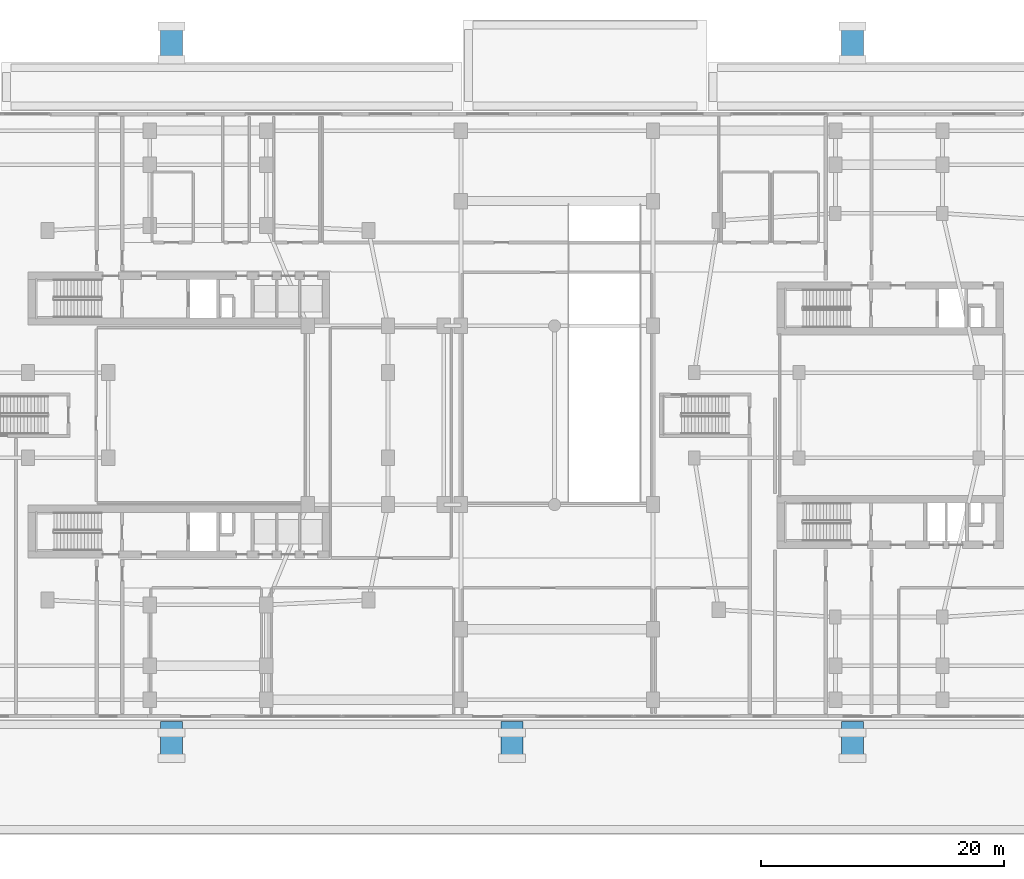
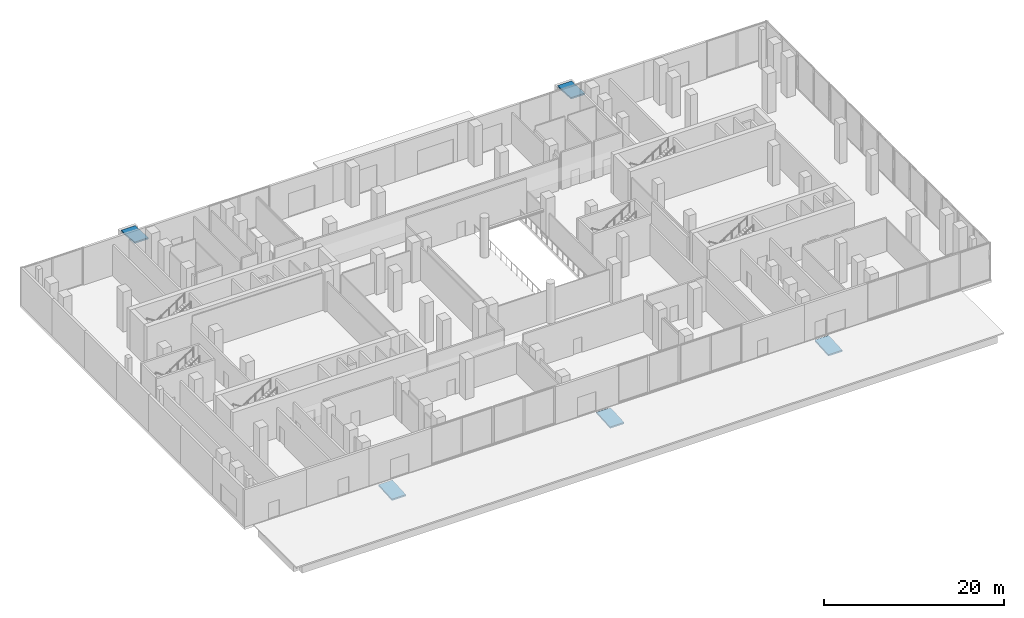
# One storey, part 18 of 24: 5 ramp flights, 5 elements without a shape of their own.
"""IFC4 building model written with IfcOpenShell, lengths in metres."""

from ifc_helpers import new_model, si_unit, derived_unit, direction, frame, origin, place, context, subcontext, project, spatial, polyline, outline, extrude, material, layer, layer_set, type_object, element, aggregate, save


model = new_model("IFC4")

# Units and contexts
model_context = context("Model", 3, precision=1e-05, world=origin(), true_north=direction((0.0, 1.0)))
body_context = subcontext(model_context, "Body", "Model", "MODEL_VIEW")
ifc_project = project(units=[si_unit("LENGTHUNIT", "METRE"), si_unit("AREAUNIT", "SQUARE_METRE"), si_unit("VOLUMEUNIT", "CUBIC_METRE"), si_unit("PLANEANGLEUNIT", "RADIAN"), si_unit("MASSUNIT", "GRAM", prefix="KILO"), derived_unit("THERMALTRANSMITTANCEUNIT", [(si_unit("POWERUNIT", "WATT"), 1), (si_unit("LENGTHUNIT", "METRE"), -2), (si_unit("THERMODYNAMICTEMPERATUREUNIT", "KELVIN"), -1)])], contexts=[model_context])

# Site, building, storey
site_placement = place(None, origin())
site = spatial("IfcSite", under=ifc_project, at=site_placement, CompositionType="ELEMENT")
building_placement = place(site_placement, origin())
building = spatial("IfcBuilding", under=site, at=building_placement, Name="Kivonza Crest Hotel", CompositionType="ELEMENT")
storey_placement = place(building_placement, origin())
storey = spatial("IfcBuildingStorey", under=building, at=storey_placement, Name="L00", CompositionType="ELEMENT", Elevation=0.0)

# Ramp, ramp flight
ifc_material = material(Name="Concrete C40/50", Category="concrete")
ramp_type = type_object("IfcRampType", Name="RM-PED-1800", PredefinedType="STRAIGHT_RUN_RAMP", material=ifc_material)
ramp_1_placement = place(storey_placement, origin())
ramp_1 = element("IfcRamp", 1, at=ramp_1_placement, inside=storey, type_object=ramp_type, Name="Hotel South forecourt accessible arrival ramp", PredefinedType="STRAIGHT_RUN_RAMP")
ifc_layer = layer(ifc_material, 0.199951171875)
ifc_layer_set = layer_set([ifc_layer], Name="Concrete C40/50")
ramp_flight_type = type_object("IfcRampFlightType", Name="RMF-PED-200", PredefinedType="STRAIGHT", material=ifc_layer_set)
ramp_flight_1_placement = place(storey_placement, frame((18.0, -3.199951171875, -0.179931640625), z_axis=(0.0, 0.0, 1.0), x_axis=(0.0, 1.0, 0.0)))
ramp_flight_1 = element("IfcRampFlight", 2, at=ramp_flight_1_placement, type_object=ramp_flight_type, Name="Hotel South forecourt accessible arrival ramp flight", PredefinedType="STRAIGHT", context=body_context, shape_type="SweptSolid", body=[
    extrude(outline(polyline([(0.0, 0.0), (3.0, 0.179931640625), (3.0, -0.02001953125), (0.0, -0.199951171875), (0.0, 0.0)])), frame((0.0, 0.89990234375, 0.0), z_axis=(0.0, -1.0, 0.0), x_axis=(1.0, 0.0, 0.0)), (0.0, 0.0, 1.0), 1.800048828125),
])
aggregate(ramp_1, [ramp_flight_1])

ramp_2_placement = place(storey_placement, origin())
ramp_2 = element("IfcRamp", 3, at=ramp_2_placement, inside=storey, type_object=ramp_type, Name="Residential South forecourt accessible arrival ramp", PredefinedType="STRAIGHT_RUN_RAMP")
ramp_flight_2_placement = place(storey_placement, frame((74.0, -3.199951171875, -0.179931640625), z_axis=(0.0, 0.0, 1.0), x_axis=(0.0, 1.0, 0.0)))
ramp_flight_2 = element("IfcRampFlight", 4, at=ramp_flight_2_placement, type_object=ramp_flight_type, Name="Residential South forecourt accessible arrival ramp flight", PredefinedType="STRAIGHT", context=body_context, shape_type="SweptSolid", body=[
    extrude(outline(polyline([(0.0, 0.0), (3.0, 0.179931640625), (3.0, -0.02001953125), (0.0, -0.199951171875), (0.0, 0.0)])), frame((0.0, 0.89990234375, 0.0), z_axis=(0.0, -1.0, 0.0), x_axis=(1.0, 0.0, 0.0)), (0.0, 0.0, 1.0), 1.800048828125),
])
aggregate(ramp_2, [ramp_flight_2])

ramp_3_placement = place(storey_placement, origin())
ramp_3 = element("IfcRamp", 5, at=ramp_3_placement, inside=storey, type_object=ramp_type, Name="Podium retail concourse accessible arrival ramp", PredefinedType="STRAIGHT_RUN_RAMP")
ramp_flight_3_placement = place(storey_placement, frame((46.0, -3.199951171875, -0.179931640625), z_axis=(0.0, 0.0, 1.0), x_axis=(0.0, 1.0, 0.0)))
ramp_flight_3 = element("IfcRampFlight", 6, at=ramp_flight_3_placement, type_object=ramp_flight_type, Name="Podium retail concourse accessible arrival ramp flight", PredefinedType="STRAIGHT", context=body_context, shape_type="SweptSolid", body=[
    extrude(outline(polyline([(0.0, 0.0), (3.0, 0.179931640625), (3.0, -0.02001953125), (0.0, -0.199951171875), (0.0, 0.0)])), frame((0.0, 0.89990234375, 0.0), z_axis=(0.0, -1.0, 0.0), x_axis=(1.0, 0.0, 0.0)), (0.0, 0.0, 1.0), 1.800048828125),
])
aggregate(ramp_3, [ramp_flight_3])

ramp_4_placement = place(storey_placement, origin())
ramp_4 = element("IfcRamp", 7, at=ramp_4_placement, inside=storey, type_object=ramp_type, Name="North-West fire-appliance walkway accessible arrival ramp", PredefinedType="STRAIGHT_RUN_RAMP")
ramp_flight_4_placement = place(storey_placement, frame((18.0, 57.0, -0.179931640625), z_axis=(0.0, 0.0, 1.0), x_axis=(0.0, -1.0, 0.0)))
ramp_flight_4 = element("IfcRampFlight", 8, at=ramp_flight_4_placement, type_object=ramp_flight_type, Name="North-West fire-appliance walkway accessible arrival ramp flight", PredefinedType="STRAIGHT", context=body_context, shape_type="SweptSolid", body=[
    extrude(outline(polyline([(0.0, 0.0), (3.0, 0.179931640625), (3.0, -0.02001953125), (0.0, -0.199951171875), (0.0, 0.0)])), frame((0.0, 0.89990234375, 0.0), z_axis=(0.0, -1.0, 0.0), x_axis=(1.0, 0.0, 0.0)), (0.0, 0.0, 1.0), 1.800048828125),
])
aggregate(ramp_4, [ramp_flight_4])

ramp_5_placement = place(storey_placement, origin())
ramp_5 = element("IfcRamp", 9, at=ramp_5_placement, inside=storey, type_object=ramp_type, Name="North-East podium walkway accessible arrival ramp", PredefinedType="STRAIGHT_RUN_RAMP")
ramp_flight_5_placement = place(storey_placement, frame((74.0, 57.0, -0.179931640625), z_axis=(0.0, 0.0, 1.0), x_axis=(0.0, -1.0, 0.0)))
ramp_flight_5 = element("IfcRampFlight", 10, at=ramp_flight_5_placement, type_object=ramp_flight_type, Name="North-East podium walkway accessible arrival ramp flight", PredefinedType="STRAIGHT", context=body_context, shape_type="SweptSolid", body=[
    extrude(outline(polyline([(0.0, 0.0), (3.0, 0.179931640625), (3.0, -0.02001953125), (0.0, -0.199951171875), (0.0, 0.0)])), frame((0.0, 0.89990234375, 0.0), z_axis=(0.0, -1.0, 0.0), x_axis=(1.0, 0.0, 0.0)), (0.0, 0.0, 1.0), 1.800048828125),
])
aggregate(ramp_5, [ramp_flight_5])

save(model, "model.ifc")
